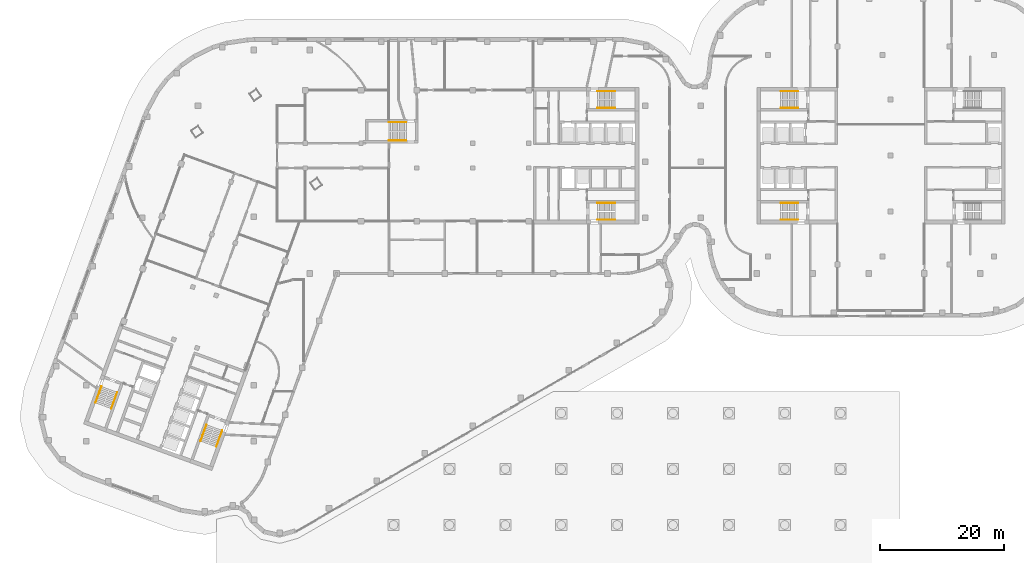
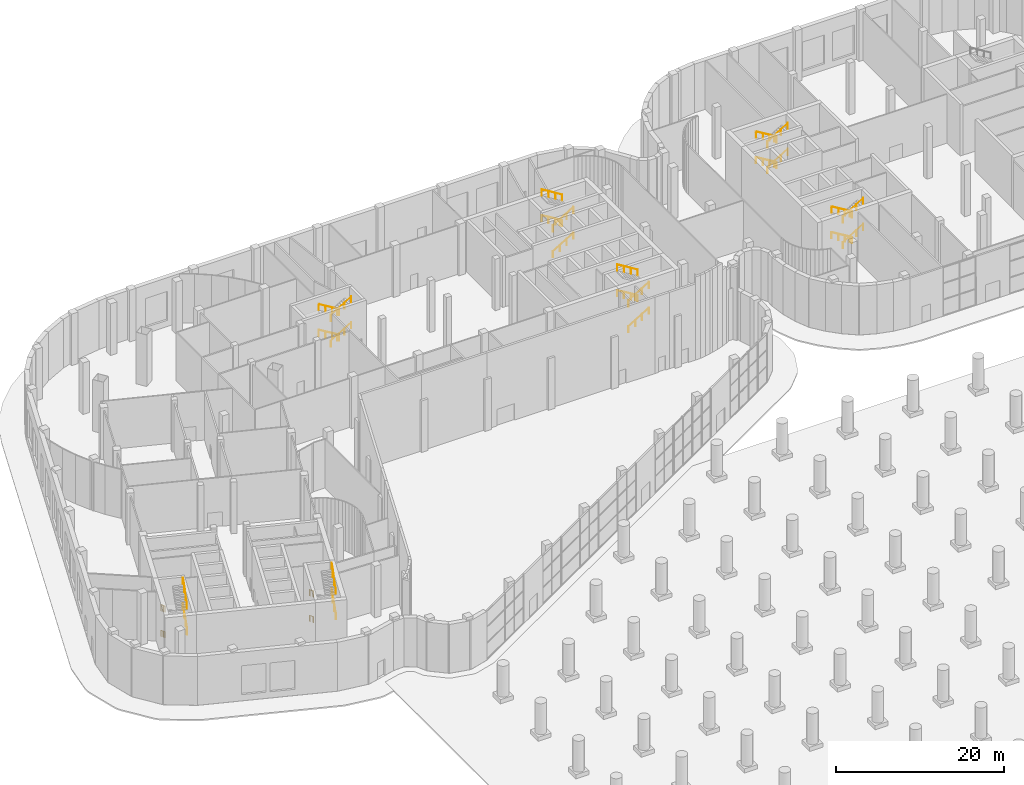
# One storey, part 27 of 30: 28 railings.
"""IFC4 building model written with IfcOpenShell, lengths in metres."""

from ifc_helpers import new_model, si_unit, direction, frame, origin, origin_2d, place, context, subcontext, project, spatial, circle, extrude, material, type_object, element, save


model = new_model("IFC4")

# Units and contexts
model_context = context("Model", 3, precision=1e-05, world=origin(), true_north=direction((0.0, 1.0)))
body_context = subcontext(model_context, "Body", "Model", "MODEL_VIEW")
ifc_project = project(units=[si_unit("LENGTHUNIT", "METRE"), si_unit("AREAUNIT", "SQUARE_METRE"), si_unit("VOLUMEUNIT", "CUBIC_METRE"), si_unit("PLANEANGLEUNIT", "RADIAN"), si_unit("MASSUNIT", "GRAM", prefix="KILO")], contexts=[model_context])

# Site, building, storey
site_placement = place(None, origin())
site = spatial("IfcSite", under=ifc_project, at=site_placement, CompositionType="ELEMENT")
building_placement = place(site_placement, origin())
building = spatial("IfcBuilding", under=site, at=building_placement, Name="Skarvind Civic Tower", CompositionType="ELEMENT")
storey_placement = place(building_placement, origin())
storey = spatial("IfcBuildingStorey", under=building, at=storey_placement, Name="L00", CompositionType="ELEMENT", Elevation=0.0)

# Railings
ifc_material = material(Name="Painted steel handrail", Category="steel")
railing_type = type_object("IfcRailingType", Name="Stair handrail 900", PredefinedType="HANDRAIL", material=ifc_material)
railing_1_placement = place(storey_placement, frame((101.35009765625, 135.64990234375, 0.17041015625)))
element("IfcRailing", 1, at=railing_1_placement, inside=storey, type_object=railing_type, Name="Stair handrail", PredefinedType="HANDRAIL", context=body_context, shape_type="SweptSolid", body=[
    extrude(circle(Radius=0.02392578125, at=origin_2d()), frame((0.0, 0.0, 0.8759765625), z_axis=(0.854149651119, 0.0, 0.520027281489), x_axis=(0.0, 1.0, 0.0)), (0.0, 0.0, 1.0), 3.27783203125),
    extrude(circle(Radius=0.02099609375, at=origin_2d()), origin(), (0.0, 0.0, 1.0), 0.851806640625),
    extrude(circle(Radius=0.02099609375, at=origin_2d()), frame((0.933349609375, 0.0, 0.568115234375)), (0.0, 0.0, 1.0), 0.851806640625),
    extrude(circle(Radius=0.02099609375, at=origin_2d()), frame((1.866455078125, 0.0, 1.136474609375)), (0.0, 0.0, 1.0), 0.851806640625),
    extrude(circle(Radius=0.02099609375, at=origin_2d()), frame((2.7998046875, 0.0, 1.70458984375)), (0.0, 0.0, 1.0), 0.851806640625),
])
railing_2_placement = place(storey_placement, frame((104.14990234375, 138.35009765625, 2.04541015625)))
element("IfcRailing", 2, at=railing_2_placement, inside=storey, type_object=railing_type, Name="Stair handrail", PredefinedType="HANDRAIL", context=body_context, shape_type="SweptSolid", body=[
    extrude(circle(Radius=0.02392578125, at=origin_2d()), frame((0.0, 0.0, 0.8759765625), z_axis=(-0.854149651119, 0.0, 0.520027281489), x_axis=(0.0, -1.0, 0.0)), (0.0, 0.0, 1.0), 3.27783203125),
    extrude(circle(Radius=0.02099609375, at=origin_2d()), origin(), (0.0, 0.0, 1.0), 0.851806640625),
    extrude(circle(Radius=0.02099609375, at=origin_2d()), frame((-0.933349609375, 0.0, 0.568115234375)), (0.0, 0.0, 1.0), 0.851806640625),
    extrude(circle(Radius=0.02099609375, at=origin_2d()), frame((-1.866455078125, 0.0, 1.136474609375)), (0.0, 0.0, 1.0), 0.851806640625),
    extrude(circle(Radius=0.02099609375, at=origin_2d()), frame((-2.7998046875, 0.0, 1.70458984375)), (0.0, 0.0, 1.0), 0.851806640625),
])
railing_3_placement = place(storey_placement, frame((101.35009765625, 135.64990234375, 3.92041015625)))
element("IfcRailing", 3, at=railing_3_placement, inside=storey, type_object=railing_type, Name="Stair handrail", PredefinedType="HANDRAIL", context=body_context, shape_type="SweptSolid", body=[
    extrude(circle(Radius=0.02392578125, at=origin_2d()), frame((0.0, 0.0, 0.8759765625), z_axis=(0.854149651119, 0.0, 0.520027281489), x_axis=(0.0, 1.0, 0.0)), (0.0, 0.0, 1.0), 3.27783203125),
    extrude(circle(Radius=0.02099609375, at=origin_2d()), origin(), (0.0, 0.0, 1.0), 0.851806640625),
    extrude(circle(Radius=0.02099609375, at=origin_2d()), frame((0.933349609375, 0.0, 0.568115234375)), (0.0, 0.0, 1.0), 0.851806640625),
    extrude(circle(Radius=0.02099609375, at=origin_2d()), frame((1.866455078125, 0.0, 1.136474609375)), (0.0, 0.0, 1.0), 0.851806640625),
    extrude(circle(Radius=0.02099609375, at=origin_2d()), frame((2.7998046875, 0.0, 1.70458984375)), (0.0, 0.0, 1.0), 0.851806640625),
])
railing_4_placement = place(storey_placement, frame((104.14990234375, 138.35009765625, 5.79541015625)))
element("IfcRailing", 4, at=railing_4_placement, inside=storey, type_object=railing_type, Name="Stair handrail", PredefinedType="HANDRAIL", context=body_context, shape_type="SweptSolid", body=[
    extrude(circle(Radius=0.02392578125, at=origin_2d()), frame((0.0, 0.0, 0.8759765625), z_axis=(-0.854149651119, 0.0, 0.520027281489), x_axis=(0.0, -1.0, 0.0)), (0.0, 0.0, 1.0), 3.27783203125),
    extrude(circle(Radius=0.02099609375, at=origin_2d()), origin(), (0.0, 0.0, 1.0), 0.851806640625),
    extrude(circle(Radius=0.02099609375, at=origin_2d()), frame((-0.933349609375, 0.0, 0.568115234375)), (0.0, 0.0, 1.0), 0.851806640625),
    extrude(circle(Radius=0.02099609375, at=origin_2d()), frame((-1.866455078125, 0.0, 1.136474609375)), (0.0, 0.0, 1.0), 0.851806640625),
    extrude(circle(Radius=0.02099609375, at=origin_2d()), frame((-2.7998046875, 0.0, 1.70458984375)), (0.0, 0.0, 1.0), 0.851806640625),
])
railing_5_placement = place(storey_placement, frame((101.35009765625, 117.64990234375, 0.17041015625)))
element("IfcRailing", 5, at=railing_5_placement, inside=storey, type_object=railing_type, Name="Stair handrail", PredefinedType="HANDRAIL", context=body_context, shape_type="SweptSolid", body=[
    extrude(circle(Radius=0.02392578125, at=origin_2d()), frame((0.0, 0.0, 0.8759765625), z_axis=(0.854149651119, 0.0, 0.520027281489), x_axis=(0.0, 1.0, 0.0)), (0.0, 0.0, 1.0), 3.27783203125),
    extrude(circle(Radius=0.02099609375, at=origin_2d()), origin(), (0.0, 0.0, 1.0), 0.851806640625),
    extrude(circle(Radius=0.02099609375, at=origin_2d()), frame((0.933349609375, 0.0, 0.568115234375)), (0.0, 0.0, 1.0), 0.851806640625),
    extrude(circle(Radius=0.02099609375, at=origin_2d()), frame((1.866455078125, 0.0, 1.136474609375)), (0.0, 0.0, 1.0), 0.851806640625),
    extrude(circle(Radius=0.02099609375, at=origin_2d()), frame((2.7998046875, 0.0, 1.70458984375)), (0.0, 0.0, 1.0), 0.851806640625),
])
railing_6_placement = place(storey_placement, frame((104.14990234375, 120.35009765625, 2.04541015625)))
element("IfcRailing", 6, at=railing_6_placement, inside=storey, type_object=railing_type, Name="Stair handrail", PredefinedType="HANDRAIL", context=body_context, shape_type="SweptSolid", body=[
    extrude(circle(Radius=0.02392578125, at=origin_2d()), frame((0.0, 0.0, 0.8759765625), z_axis=(-0.854149651119, 0.0, 0.520027281489), x_axis=(0.0, -1.0, 0.0)), (0.0, 0.0, 1.0), 3.27783203125),
    extrude(circle(Radius=0.02099609375, at=origin_2d()), origin(), (0.0, 0.0, 1.0), 0.851806640625),
    extrude(circle(Radius=0.02099609375, at=origin_2d()), frame((-0.933349609375, 0.0, 0.568115234375)), (0.0, 0.0, 1.0), 0.851806640625),
    extrude(circle(Radius=0.02099609375, at=origin_2d()), frame((-1.866455078125, 0.0, 1.136474609375)), (0.0, 0.0, 1.0), 0.851806640625),
    extrude(circle(Radius=0.02099609375, at=origin_2d()), frame((-2.7998046875, 0.0, 1.70458984375)), (0.0, 0.0, 1.0), 0.851806640625),
])
railing_7_placement = place(storey_placement, frame((101.35009765625, 117.64990234375, 3.92041015625)))
element("IfcRailing", 7, at=railing_7_placement, inside=storey, type_object=railing_type, Name="Stair handrail", PredefinedType="HANDRAIL", context=body_context, shape_type="SweptSolid", body=[
    extrude(circle(Radius=0.02392578125, at=origin_2d()), frame((0.0, 0.0, 0.8759765625), z_axis=(0.854149651119, 0.0, 0.520027281489), x_axis=(0.0, 1.0, 0.0)), (0.0, 0.0, 1.0), 3.27783203125),
    extrude(circle(Radius=0.02099609375, at=origin_2d()), origin(), (0.0, 0.0, 1.0), 0.851806640625),
    extrude(circle(Radius=0.02099609375, at=origin_2d()), frame((0.933349609375, 0.0, 0.568115234375)), (0.0, 0.0, 1.0), 0.851806640625),
    extrude(circle(Radius=0.02099609375, at=origin_2d()), frame((1.866455078125, 0.0, 1.136474609375)), (0.0, 0.0, 1.0), 0.851806640625),
    extrude(circle(Radius=0.02099609375, at=origin_2d()), frame((2.7998046875, 0.0, 1.70458984375)), (0.0, 0.0, 1.0), 0.851806640625),
])
railing_8_placement = place(storey_placement, frame((104.14990234375, 120.35009765625, 5.79541015625)))
element("IfcRailing", 8, at=railing_8_placement, inside=storey, type_object=railing_type, Name="Stair handrail", PredefinedType="HANDRAIL", context=body_context, shape_type="SweptSolid", body=[
    extrude(circle(Radius=0.02392578125, at=origin_2d()), frame((0.0, 0.0, 0.8759765625), z_axis=(-0.854149651119, 0.0, 0.520027281489), x_axis=(0.0, -1.0, 0.0)), (0.0, 0.0, 1.0), 3.27783203125),
    extrude(circle(Radius=0.02099609375, at=origin_2d()), origin(), (0.0, 0.0, 1.0), 0.851806640625),
    extrude(circle(Radius=0.02099609375, at=origin_2d()), frame((-0.933349609375, 0.0, 0.568115234375)), (0.0, 0.0, 1.0), 0.851806640625),
    extrude(circle(Radius=0.02099609375, at=origin_2d()), frame((-1.866455078125, 0.0, 1.136474609375)), (0.0, 0.0, 1.0), 0.851806640625),
    extrude(circle(Radius=0.02099609375, at=origin_2d()), frame((-2.7998046875, 0.0, 1.70458984375)), (0.0, 0.0, 1.0), 0.851806640625),
])
railing_9_placement = place(storey_placement, frame((38.362060546875, 84.64794921875, 0.17041015625)))
element("IfcRailing", 9, at=railing_9_placement, inside=storey, type_object=railing_type, Name="Stair handrail", PredefinedType="HANDRAIL", context=body_context, shape_type="SweptSolid", body=[
    extrude(circle(Radius=0.02392578125, at=origin_2d()), frame((0.0, 0.0, 0.8759765625), z_axis=(-0.292106268397, -0.802659167392, 0.520011720027), x_axis=(0.93970683422, -0.341981089711, 0.0)), (0.0, 0.0, 1.0), 3.278076171875),
    extrude(circle(Radius=0.02099609375, at=origin_2d()), origin(), (0.0, 0.0, 1.0), 0.851806640625),
    extrude(circle(Radius=0.02099609375, at=origin_2d()), frame((-0.319091796875, -0.876953125, 0.568115234375)), (0.0, 0.0, 1.0), 0.851806640625),
    extrude(circle(Radius=0.02099609375, at=origin_2d()), frame((-0.638427734375, -1.754150390625, 1.136474609375)), (0.0, 0.0, 1.0), 0.851806640625),
    extrude(circle(Radius=0.02099609375, at=origin_2d()), frame((-0.95751953125, -2.631103515625, 1.70458984375)), (0.0, 0.0, 1.0), 0.851806640625),
])
railing_10_placement = place(storey_placement, frame((39.941650390625, 81.09326171875, 2.04541015625)))
element("IfcRailing", 10, at=railing_10_placement, inside=storey, type_object=railing_type, Name="Stair handrail", PredefinedType="HANDRAIL", context=body_context, shape_type="SweptSolid", body=[
    extrude(circle(Radius=0.02392578125, at=origin_2d()), frame((0.0, 0.0, 0.8759765625), z_axis=(0.292106268397, 0.802659167392, 0.520011720027), x_axis=(-0.93970683422, 0.341981089711, 0.0)), (0.0, 0.0, 1.0), 3.278076171875),
    extrude(circle(Radius=0.02099609375, at=origin_2d()), origin(), (0.0, 0.0, 1.0), 0.851806640625),
    extrude(circle(Radius=0.02099609375, at=origin_2d()), frame((0.319091796875, 0.876953125, 0.568115234375)), (0.0, 0.0, 1.0), 0.851806640625),
    extrude(circle(Radius=0.02099609375, at=origin_2d()), frame((0.638427734375, 1.754150390625, 1.136474609375)), (0.0, 0.0, 1.0), 0.851806640625),
    extrude(circle(Radius=0.02099609375, at=origin_2d()), frame((0.95751953125, 2.631103515625, 1.70458984375)), (0.0, 0.0, 1.0), 0.851806640625),
])
railing_11_placement = place(storey_placement, frame((38.362060546875, 84.64794921875, 3.92041015625)))
element("IfcRailing", 11, at=railing_11_placement, inside=storey, type_object=railing_type, Name="Stair handrail", PredefinedType="HANDRAIL", context=body_context, shape_type="SweptSolid", body=[
    extrude(circle(Radius=0.02392578125, at=origin_2d()), frame((0.0, 0.0, 0.8759765625), z_axis=(-0.292106268397, -0.802659167392, 0.520011720027), x_axis=(0.93970683422, -0.341981089711, 0.0)), (0.0, 0.0, 1.0), 3.278076171875),
    extrude(circle(Radius=0.02099609375, at=origin_2d()), origin(), (0.0, 0.0, 1.0), 0.851806640625),
    extrude(circle(Radius=0.02099609375, at=origin_2d()), frame((-0.319091796875, -0.876953125, 0.568115234375)), (0.0, 0.0, 1.0), 0.851806640625),
    extrude(circle(Radius=0.02099609375, at=origin_2d()), frame((-0.638427734375, -1.754150390625, 1.136474609375)), (0.0, 0.0, 1.0), 0.851806640625),
    extrude(circle(Radius=0.02099609375, at=origin_2d()), frame((-0.95751953125, -2.631103515625, 1.70458984375)), (0.0, 0.0, 1.0), 0.851806640625),
])
railing_12_placement = place(storey_placement, frame((39.941650390625, 81.09326171875, 5.79541015625)))
element("IfcRailing", 12, at=railing_12_placement, inside=storey, type_object=railing_type, Name="Stair handrail", PredefinedType="HANDRAIL", context=body_context, shape_type="SweptSolid", body=[
    extrude(circle(Radius=0.02392578125, at=origin_2d()), frame((0.0, 0.0, 0.8759765625), z_axis=(0.292106268397, 0.802659167392, 0.520011720027), x_axis=(-0.93970683422, 0.341981089711, 0.0)), (0.0, 0.0, 1.0), 3.278076171875),
    extrude(circle(Radius=0.02099609375, at=origin_2d()), origin(), (0.0, 0.0, 1.0), 0.851806640625),
    extrude(circle(Radius=0.02099609375, at=origin_2d()), frame((0.319091796875, 0.876953125, 0.568115234375)), (0.0, 0.0, 1.0), 0.851806640625),
    extrude(circle(Radius=0.02099609375, at=origin_2d()), frame((0.638427734375, 1.754150390625, 1.136474609375)), (0.0, 0.0, 1.0), 0.851806640625),
    extrude(circle(Radius=0.02099609375, at=origin_2d()), frame((0.95751953125, 2.631103515625, 1.70458984375)), (0.0, 0.0, 1.0), 0.851806640625),
])
railing_13_placement = place(storey_placement, frame((21.447509765625, 90.80419921875, 0.17041015625)))
element("IfcRailing", 13, at=railing_13_placement, inside=storey, type_object=railing_type, Name="Stair handrail", PredefinedType="HANDRAIL", context=body_context, shape_type="SweptSolid", body=[
    extrude(circle(Radius=0.02392578125, at=origin_2d()), frame((0.0, 0.0, 0.8759765625), z_axis=(-0.292106268397, -0.802659167392, 0.520011720027), x_axis=(0.93970683422, -0.341981089711, 0.0)), (0.0, 0.0, 1.0), 3.278076171875),
    extrude(circle(Radius=0.02099609375, at=origin_2d()), origin(), (0.0, 0.0, 1.0), 0.851806640625),
    extrude(circle(Radius=0.02099609375, at=origin_2d()), frame((-0.319091796875, -0.876953125, 0.568115234375)), (0.0, 0.0, 1.0), 0.851806640625),
    extrude(circle(Radius=0.02099609375, at=origin_2d()), frame((-0.638427734375, -1.754150390625, 1.136474609375)), (0.0, 0.0, 1.0), 0.851806640625),
    extrude(circle(Radius=0.02099609375, at=origin_2d()), frame((-0.95751953125, -2.631103515625, 1.70458984375)), (0.0, 0.0, 1.0), 0.851806640625),
])
railing_14_placement = place(storey_placement, frame((23.027099609375, 87.249755859375, 2.04541015625)))
element("IfcRailing", 14, at=railing_14_placement, inside=storey, type_object=railing_type, Name="Stair handrail", PredefinedType="HANDRAIL", context=body_context, shape_type="SweptSolid", body=[
    extrude(circle(Radius=0.02392578125, at=origin_2d()), frame((0.0, 0.0, 0.8759765625), z_axis=(0.292174390087, 0.802641703279, 0.520000405706), x_axis=(-0.939678810556, 0.342058084236, 0.0)), (0.0, 0.0, 1.0), 3.278076171875),
    extrude(circle(Radius=0.02099609375, at=origin_2d()), origin(), (0.0, 0.0, 1.0), 0.851806640625),
    extrude(circle(Radius=0.02099609375, at=origin_2d()), frame((0.3193359375, 0.876953125, 0.568115234375)), (0.0, 0.0, 1.0), 0.851806640625),
    extrude(circle(Radius=0.02099609375, at=origin_2d()), frame((0.638427734375, 1.754150390625, 1.136474609375)), (0.0, 0.0, 1.0), 0.851806640625),
    extrude(circle(Radius=0.02099609375, at=origin_2d()), frame((0.957763671875, 2.631103515625, 1.70458984375)), (0.0, 0.0, 1.0), 0.851806640625),
])
railing_15_placement = place(storey_placement, frame((21.447509765625, 90.80419921875, 3.92041015625)))
element("IfcRailing", 15, at=railing_15_placement, inside=storey, type_object=railing_type, Name="Stair handrail", PredefinedType="HANDRAIL", context=body_context, shape_type="SweptSolid", body=[
    extrude(circle(Radius=0.02392578125, at=origin_2d()), frame((0.0, 0.0, 0.8759765625), z_axis=(-0.292106268397, -0.802659167392, 0.520011720027), x_axis=(0.93970683422, -0.341981089711, 0.0)), (0.0, 0.0, 1.0), 3.278076171875),
    extrude(circle(Radius=0.02099609375, at=origin_2d()), origin(), (0.0, 0.0, 1.0), 0.851806640625),
    extrude(circle(Radius=0.02099609375, at=origin_2d()), frame((-0.319091796875, -0.876953125, 0.568115234375)), (0.0, 0.0, 1.0), 0.851806640625),
    extrude(circle(Radius=0.02099609375, at=origin_2d()), frame((-0.638427734375, -1.754150390625, 1.136474609375)), (0.0, 0.0, 1.0), 0.851806640625),
    extrude(circle(Radius=0.02099609375, at=origin_2d()), frame((-0.95751953125, -2.631103515625, 1.70458984375)), (0.0, 0.0, 1.0), 0.851806640625),
])
railing_16_placement = place(storey_placement, frame((23.027099609375, 87.249755859375, 5.79541015625)))
element("IfcRailing", 16, at=railing_16_placement, inside=storey, type_object=railing_type, Name="Stair handrail", PredefinedType="HANDRAIL", context=body_context, shape_type="SweptSolid", body=[
    extrude(circle(Radius=0.02392578125, at=origin_2d()), frame((0.0, 0.0, 0.8759765625), z_axis=(0.292174390087, 0.802641703279, 0.520000405706), x_axis=(-0.939678810556, 0.342058084236, 0.0)), (0.0, 0.0, 1.0), 3.278076171875),
    extrude(circle(Radius=0.02099609375, at=origin_2d()), origin(), (0.0, 0.0, 1.0), 0.851806640625),
    extrude(circle(Radius=0.02099609375, at=origin_2d()), frame((0.3193359375, 0.876953125, 0.568115234375)), (0.0, 0.0, 1.0), 0.851806640625),
    extrude(circle(Radius=0.02099609375, at=origin_2d()), frame((0.638427734375, 1.754150390625, 1.136474609375)), (0.0, 0.0, 1.0), 0.851806640625),
    extrude(circle(Radius=0.02099609375, at=origin_2d()), frame((0.957763671875, 2.631103515625, 1.70458984375)), (0.0, 0.0, 1.0), 0.851806640625),
])
railing_17_placement = place(storey_placement, frame((133.64990234375, 120.35009765625, 0.17041015625)))
element("IfcRailing", 17, at=railing_17_placement, inside=storey, type_object=railing_type, Name="Stair handrail", PredefinedType="HANDRAIL", context=body_context, shape_type="SweptSolid", body=[
    extrude(circle(Radius=0.02392578125, at=origin_2d()), frame((0.0, 0.0, 0.8759765625), z_axis=(-0.854149651119, 0.0, 0.520027281489), x_axis=(0.0, -1.0, 0.0)), (0.0, 0.0, 1.0), 3.27783203125),
    extrude(circle(Radius=0.02099609375, at=origin_2d()), origin(), (0.0, 0.0, 1.0), 0.851806640625),
    extrude(circle(Radius=0.02099609375, at=origin_2d()), frame((-0.933349609375, 0.0, 0.568115234375)), (0.0, 0.0, 1.0), 0.851806640625),
    extrude(circle(Radius=0.02099609375, at=origin_2d()), frame((-1.866455078125, 0.0, 1.136474609375)), (0.0, 0.0, 1.0), 0.851806640625),
    extrude(circle(Radius=0.02099609375, at=origin_2d()), frame((-2.7998046875, 0.0, 1.70458984375)), (0.0, 0.0, 1.0), 0.851806640625),
])
railing_18_placement = place(storey_placement, frame((130.85009765625, 117.64990234375, 2.04541015625)))
element("IfcRailing", 18, at=railing_18_placement, inside=storey, type_object=railing_type, Name="Stair handrail", PredefinedType="HANDRAIL", context=body_context, shape_type="SweptSolid", body=[
    extrude(circle(Radius=0.02392578125, at=origin_2d()), frame((0.0, 0.0, 0.8759765625), z_axis=(0.854149651119, 0.0, 0.520027281489), x_axis=(0.0, 1.0, 0.0)), (0.0, 0.0, 1.0), 3.27783203125),
    extrude(circle(Radius=0.02099609375, at=origin_2d()), origin(), (0.0, 0.0, 1.0), 0.851806640625),
    extrude(circle(Radius=0.02099609375, at=origin_2d()), frame((0.933349609375, 0.0, 0.568115234375)), (0.0, 0.0, 1.0), 0.851806640625),
    extrude(circle(Radius=0.02099609375, at=origin_2d()), frame((1.866455078125, 0.0, 1.136474609375)), (0.0, 0.0, 1.0), 0.851806640625),
    extrude(circle(Radius=0.02099609375, at=origin_2d()), frame((2.7998046875, 0.0, 1.70458984375)), (0.0, 0.0, 1.0), 0.851806640625),
])
railing_19_placement = place(storey_placement, frame((133.64990234375, 120.35009765625, 3.92041015625)))
element("IfcRailing", 19, at=railing_19_placement, inside=storey, type_object=railing_type, Name="Stair handrail", PredefinedType="HANDRAIL", context=body_context, shape_type="SweptSolid", body=[
    extrude(circle(Radius=0.02392578125, at=origin_2d()), frame((0.0, 0.0, 0.8759765625), z_axis=(-0.854149651119, 0.0, 0.520027281489), x_axis=(0.0, -1.0, 0.0)), (0.0, 0.0, 1.0), 3.27783203125),
    extrude(circle(Radius=0.02099609375, at=origin_2d()), origin(), (0.0, 0.0, 1.0), 0.851806640625),
    extrude(circle(Radius=0.02099609375, at=origin_2d()), frame((-0.933349609375, 0.0, 0.568115234375)), (0.0, 0.0, 1.0), 0.851806640625),
    extrude(circle(Radius=0.02099609375, at=origin_2d()), frame((-1.866455078125, 0.0, 1.136474609375)), (0.0, 0.0, 1.0), 0.851806640625),
    extrude(circle(Radius=0.02099609375, at=origin_2d()), frame((-2.7998046875, 0.0, 1.70458984375)), (0.0, 0.0, 1.0), 0.851806640625),
])
railing_20_placement = place(storey_placement, frame((130.85009765625, 117.64990234375, 5.79541015625)))
element("IfcRailing", 20, at=railing_20_placement, inside=storey, type_object=railing_type, Name="Stair handrail", PredefinedType="HANDRAIL", context=body_context, shape_type="SweptSolid", body=[
    extrude(circle(Radius=0.02392578125, at=origin_2d()), frame((0.0, 0.0, 0.8759765625), z_axis=(0.854149651119, 0.0, 0.520027281489), x_axis=(0.0, 1.0, 0.0)), (0.0, 0.0, 1.0), 3.27783203125),
    extrude(circle(Radius=0.02099609375, at=origin_2d()), origin(), (0.0, 0.0, 1.0), 0.851806640625),
    extrude(circle(Radius=0.02099609375, at=origin_2d()), frame((0.933349609375, 0.0, 0.568115234375)), (0.0, 0.0, 1.0), 0.851806640625),
    extrude(circle(Radius=0.02099609375, at=origin_2d()), frame((1.866455078125, 0.0, 1.136474609375)), (0.0, 0.0, 1.0), 0.851806640625),
    extrude(circle(Radius=0.02099609375, at=origin_2d()), frame((2.7998046875, 0.0, 1.70458984375)), (0.0, 0.0, 1.0), 0.851806640625),
])
railing_21_placement = place(storey_placement, frame((133.64990234375, 138.35009765625, 0.17041015625)))
element("IfcRailing", 21, at=railing_21_placement, inside=storey, type_object=railing_type, Name="Stair handrail", PredefinedType="HANDRAIL", context=body_context, shape_type="SweptSolid", body=[
    extrude(circle(Radius=0.02392578125, at=origin_2d()), frame((0.0, 0.0, 0.8759765625), z_axis=(-0.854149651119, 0.0, 0.520027281489), x_axis=(0.0, -1.0, 0.0)), (0.0, 0.0, 1.0), 3.27783203125),
    extrude(circle(Radius=0.02099609375, at=origin_2d()), origin(), (0.0, 0.0, 1.0), 0.851806640625),
    extrude(circle(Radius=0.02099609375, at=origin_2d()), frame((-0.933349609375, 0.0, 0.568115234375)), (0.0, 0.0, 1.0), 0.851806640625),
    extrude(circle(Radius=0.02099609375, at=origin_2d()), frame((-1.866455078125, 0.0, 1.136474609375)), (0.0, 0.0, 1.0), 0.851806640625),
    extrude(circle(Radius=0.02099609375, at=origin_2d()), frame((-2.7998046875, 0.0, 1.70458984375)), (0.0, 0.0, 1.0), 0.851806640625),
])
railing_22_placement = place(storey_placement, frame((130.85009765625, 135.64990234375, 2.04541015625)))
element("IfcRailing", 22, at=railing_22_placement, inside=storey, type_object=railing_type, Name="Stair handrail", PredefinedType="HANDRAIL", context=body_context, shape_type="SweptSolid", body=[
    extrude(circle(Radius=0.02392578125, at=origin_2d()), frame((0.0, 0.0, 0.8759765625), z_axis=(0.854149651119, 0.0, 0.520027281489), x_axis=(0.0, 1.0, 0.0)), (0.0, 0.0, 1.0), 3.27783203125),
    extrude(circle(Radius=0.02099609375, at=origin_2d()), origin(), (0.0, 0.0, 1.0), 0.851806640625),
    extrude(circle(Radius=0.02099609375, at=origin_2d()), frame((0.933349609375, 0.0, 0.568115234375)), (0.0, 0.0, 1.0), 0.851806640625),
    extrude(circle(Radius=0.02099609375, at=origin_2d()), frame((1.866455078125, 0.0, 1.136474609375)), (0.0, 0.0, 1.0), 0.851806640625),
    extrude(circle(Radius=0.02099609375, at=origin_2d()), frame((2.7998046875, 0.0, 1.70458984375)), (0.0, 0.0, 1.0), 0.851806640625),
])
railing_23_placement = place(storey_placement, frame((133.64990234375, 138.35009765625, 3.92041015625)))
element("IfcRailing", 23, at=railing_23_placement, inside=storey, type_object=railing_type, Name="Stair handrail", PredefinedType="HANDRAIL", context=body_context, shape_type="SweptSolid", body=[
    extrude(circle(Radius=0.02392578125, at=origin_2d()), frame((0.0, 0.0, 0.8759765625), z_axis=(-0.854149651119, 0.0, 0.520027281489), x_axis=(0.0, -1.0, 0.0)), (0.0, 0.0, 1.0), 3.27783203125),
    extrude(circle(Radius=0.02099609375, at=origin_2d()), origin(), (0.0, 0.0, 1.0), 0.851806640625),
    extrude(circle(Radius=0.02099609375, at=origin_2d()), frame((-0.933349609375, 0.0, 0.568115234375)), (0.0, 0.0, 1.0), 0.851806640625),
    extrude(circle(Radius=0.02099609375, at=origin_2d()), frame((-1.866455078125, 0.0, 1.136474609375)), (0.0, 0.0, 1.0), 0.851806640625),
    extrude(circle(Radius=0.02099609375, at=origin_2d()), frame((-2.7998046875, 0.0, 1.70458984375)), (0.0, 0.0, 1.0), 0.851806640625),
])
railing_24_placement = place(storey_placement, frame((130.85009765625, 135.64990234375, 5.79541015625)))
element("IfcRailing", 24, at=railing_24_placement, inside=storey, type_object=railing_type, Name="Stair handrail", PredefinedType="HANDRAIL", context=body_context, shape_type="SweptSolid", body=[
    extrude(circle(Radius=0.02392578125, at=origin_2d()), frame((0.0, 0.0, 0.8759765625), z_axis=(0.854149651119, 0.0, 0.520027281489), x_axis=(0.0, 1.0, 0.0)), (0.0, 0.0, 1.0), 3.27783203125),
    extrude(circle(Radius=0.02099609375, at=origin_2d()), origin(), (0.0, 0.0, 1.0), 0.851806640625),
    extrude(circle(Radius=0.02099609375, at=origin_2d()), frame((0.933349609375, 0.0, 0.568115234375)), (0.0, 0.0, 1.0), 0.851806640625),
    extrude(circle(Radius=0.02099609375, at=origin_2d()), frame((1.866455078125, 0.0, 1.136474609375)), (0.0, 0.0, 1.0), 0.851806640625),
    extrude(circle(Radius=0.02099609375, at=origin_2d()), frame((2.7998046875, 0.0, 1.70458984375)), (0.0, 0.0, 1.0), 0.851806640625),
])
railing_25_placement = place(storey_placement, frame((70.550048828125, 133.35009765625, 0.17041015625)))
element("IfcRailing", 25, at=railing_25_placement, inside=storey, type_object=railing_type, Name="Stair handrail", PredefinedType="HANDRAIL", context=body_context, shape_type="SweptSolid", body=[
    extrude(circle(Radius=0.02392578125, at=origin_2d()), frame((0.0, 0.0, 0.8759765625), z_axis=(-0.854169791009, 0.0, 0.51999420009), x_axis=(0.0, -1.0, 0.0)), (0.0, 0.0, 1.0), 3.278076171875),
    extrude(circle(Radius=0.02099609375, at=origin_2d()), origin(), (0.0, 0.0, 1.0), 0.851806640625),
    extrude(circle(Radius=0.02099609375, at=origin_2d()), frame((-0.933349609375, 0.0, 0.568115234375)), (0.0, 0.0, 1.0), 0.851806640625),
    extrude(circle(Radius=0.02099609375, at=origin_2d()), frame((-1.86669921875, 0.0, 1.136474609375)), (0.0, 0.0, 1.0), 0.851806640625),
    extrude(circle(Radius=0.02099609375, at=origin_2d()), frame((-2.800048828125, 0.0, 1.70458984375)), (0.0, 0.0, 1.0), 0.851806640625),
])
railing_26_placement = place(storey_placement, frame((67.75, 130.449951171875, 2.04541015625)))
element("IfcRailing", 26, at=railing_26_placement, inside=storey, type_object=railing_type, Name="Stair handrail", PredefinedType="HANDRAIL", context=body_context, shape_type="SweptSolid", body=[
    extrude(circle(Radius=0.02392578125, at=origin_2d()), frame((0.0, 0.0, 0.8759765625), z_axis=(0.854169791009, 0.0, 0.51999420009), x_axis=(0.0, 1.0, 0.0)), (0.0, 0.0, 1.0), 3.278076171875),
    extrude(circle(Radius=0.02099609375, at=origin_2d()), origin(), (0.0, 0.0, 1.0), 0.851806640625),
    extrude(circle(Radius=0.02099609375, at=origin_2d()), frame((0.933349609375, 0.0, 0.568115234375)), (0.0, 0.0, 1.0), 0.851806640625),
    extrude(circle(Radius=0.02099609375, at=origin_2d()), frame((1.86669921875, 0.0, 1.136474609375)), (0.0, 0.0, 1.0), 0.851806640625),
    extrude(circle(Radius=0.02099609375, at=origin_2d()), frame((2.800048828125, 0.0, 1.70458984375)), (0.0, 0.0, 1.0), 0.851806640625),
])
railing_27_placement = place(storey_placement, frame((70.550048828125, 133.35009765625, 3.92041015625)))
element("IfcRailing", 27, at=railing_27_placement, inside=storey, type_object=railing_type, Name="Stair handrail", PredefinedType="HANDRAIL", context=body_context, shape_type="SweptSolid", body=[
    extrude(circle(Radius=0.02392578125, at=origin_2d()), frame((0.0, 0.0, 0.8759765625), z_axis=(-0.854169791009, 0.0, 0.51999420009), x_axis=(0.0, -1.0, 0.0)), (0.0, 0.0, 1.0), 3.278076171875),
    extrude(circle(Radius=0.02099609375, at=origin_2d()), origin(), (0.0, 0.0, 1.0), 0.851806640625),
    extrude(circle(Radius=0.02099609375, at=origin_2d()), frame((-0.933349609375, 0.0, 0.568115234375)), (0.0, 0.0, 1.0), 0.851806640625),
    extrude(circle(Radius=0.02099609375, at=origin_2d()), frame((-1.86669921875, 0.0, 1.136474609375)), (0.0, 0.0, 1.0), 0.851806640625),
    extrude(circle(Radius=0.02099609375, at=origin_2d()), frame((-2.800048828125, 0.0, 1.70458984375)), (0.0, 0.0, 1.0), 0.851806640625),
])
railing_28_placement = place(storey_placement, frame((67.75, 130.449951171875, 5.79541015625)))
element("IfcRailing", 28, at=railing_28_placement, inside=storey, type_object=railing_type, Name="Stair handrail", PredefinedType="HANDRAIL", context=body_context, shape_type="SweptSolid", body=[
    extrude(circle(Radius=0.02392578125, at=origin_2d()), frame((0.0, 0.0, 0.8759765625), z_axis=(0.854169791009, 0.0, 0.51999420009), x_axis=(0.0, 1.0, 0.0)), (0.0, 0.0, 1.0), 3.278076171875),
    extrude(circle(Radius=0.02099609375, at=origin_2d()), origin(), (0.0, 0.0, 1.0), 0.851806640625),
    extrude(circle(Radius=0.02099609375, at=origin_2d()), frame((0.933349609375, 0.0, 0.568115234375)), (0.0, 0.0, 1.0), 0.851806640625),
    extrude(circle(Radius=0.02099609375, at=origin_2d()), frame((1.86669921875, 0.0, 1.136474609375)), (0.0, 0.0, 1.0), 0.851806640625),
    extrude(circle(Radius=0.02099609375, at=origin_2d()), frame((2.800048828125, 0.0, 1.70458984375)), (0.0, 0.0, 1.0), 0.851806640625),
])

save(model, "model.ifc")
